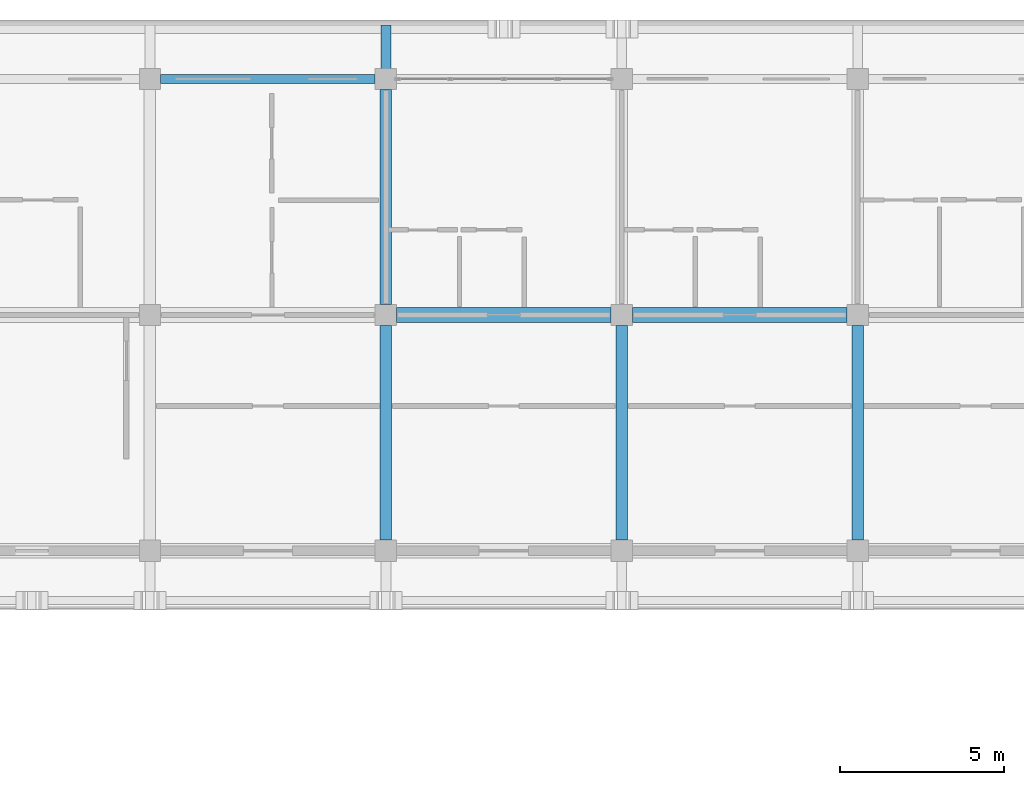
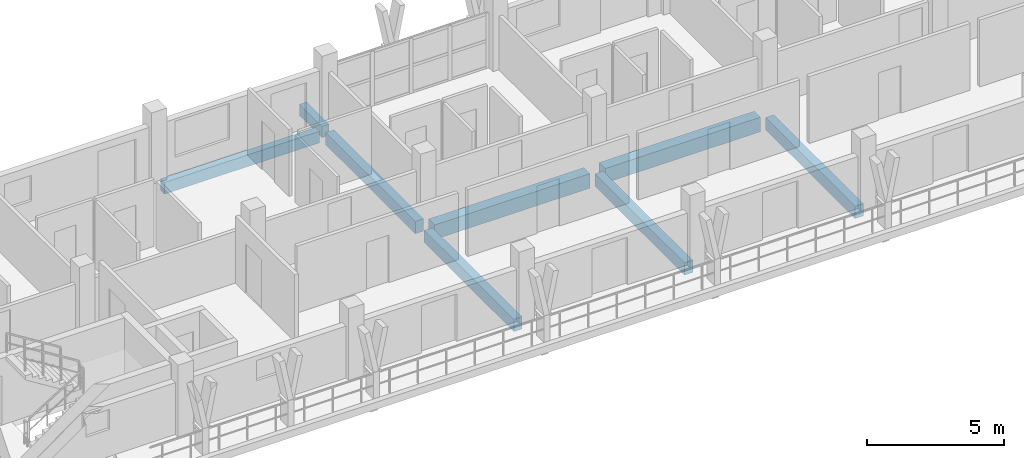
# One storey, part 19 of 76: 8 beams.
"""IFC4 building model written with IfcOpenShell, lengths in metres."""

from ifc_helpers import new_model, si_unit, direction, frame, origin, origin_2d, place, context, subcontext, project, spatial, rectangle, extrude, material, material_profile, profile_set, type_object, element, save


model = new_model("IFC4")

# Units and contexts
model_context = context("Model", 3, precision=1e-05, world=origin(), true_north=direction((0.0, 1.0)))
body_context = subcontext(model_context, "Body", "Model", "MODEL_VIEW")
ifc_project = project(units=[si_unit("LENGTHUNIT", "METRE"), si_unit("AREAUNIT", "SQUARE_METRE"), si_unit("VOLUMEUNIT", "CUBIC_METRE"), si_unit("PLANEANGLEUNIT", "RADIAN"), si_unit("MASSUNIT", "GRAM", prefix="KILO")], contexts=[model_context])

# Site, building, storey
site_placement = place(None, origin())
site = spatial("IfcSite", under=ifc_project, at=site_placement, CompositionType="ELEMENT")
building_placement = place(site_placement, origin())
building = spatial("IfcBuilding", under=site, at=building_placement, Name="Suanplinth Sawtooth Commons", CompositionType="ELEMENT")
storey_placement = place(building_placement, frame((0.0, 0.0, 12.199951171875)))
storey = spatial("IfcBuildingStorey", under=building, at=storey_placement, Name="L03", CompositionType="ELEMENT", Elevation=12.199951171875)

# Beams
ifc_material = material(Name="Precast concrete C40/50", Category="concrete")
ifc_material_profile_1 = material_profile(ifc_material, rectangle(XDim=0.449951171875, YDim=0.64990234375, at=origin_2d()), Name="PC-GDR 450x650")
ifc_profile_set_1 = profile_set([ifc_material_profile_1], Name="Precast concrete C40/50")
beam_type_1 = type_object("IfcBeamType", Name="B-04", PredefinedType="USERDEFINED", material=ifc_profile_set_1)
beam_1_placement = place(storey_placement, frame((79.52490234375, 115.199951171875, -0.56494140625), z_axis=(1.0, 0.0, 0.0), x_axis=(0.0, 1.0, 0.0)))
element("IfcBeam", 1, at=beam_1_placement, inside=storey, type_object=beam_type_1, Name="BMX-L03-A-11-16", ObjectType="GIRDER", PredefinedType="USERDEFINED", context=body_context, shape_type="SweptSolid", body=[
    extrude(rectangle(XDim=0.449951171875, YDim=0.64990234375, at=origin_2d()), origin(), (0.0, 0.0, 1.0), 6.550048828125),
])
beam_2_placement = place(storey_placement, frame((86.72509765625, 115.199951171875, -0.56494140625), z_axis=(1.0, 0.0, 0.0), x_axis=(0.0, 1.0, 0.0)))
element("IfcBeam", 2, at=beam_2_placement, inside=storey, type_object=beam_type_1, Name="BMX-L03-A-12-16", ObjectType="GIRDER", PredefinedType="USERDEFINED", context=body_context, shape_type="SweptSolid", body=[
    extrude(rectangle(XDim=0.449951171875, YDim=0.64990234375, at=origin_2d()), origin(), (0.0, 0.0, 1.0), 6.5498046875),
])
ifc_material_profile_2 = material_profile(ifc_material, rectangle(XDim=0.35009765625, YDim=0.550048828125, at=origin_2d()), Name="PC-BM 350x550")
ifc_profile_set_2 = profile_set([ifc_material_profile_2], Name="Precast concrete C40/50")
beam_type_2 = type_object("IfcBeamType", Name="B-06", PredefinedType="BEAM", material=ifc_profile_set_2)
for number, where, z_axis, x_axis, name in (
    (3, (79.199951171875, 108.324951171875, -0.514892578125), (0.0, 1.0, 0.0), (-1.0, 0.0, 0.0), "BMY-L03-A-11-15"),
    (4, (79.199951171875, 115.52490234375, -0.514892578125), (0.0, 1.0, 0.0), (-1.0, 0.0, 0.0), "BMY-L03-A-11-16"),
    (5, (86.39990234375, 108.324951171875, -0.514892578125), (0.0, 1.0, 0.0), (-1.0, 0.0, 0.0), "BMY-L03-A-12-15"),
    (6, (93.60009765625, 108.324951171875, -0.514892578125), (0.0, 1.0, 0.0), (-1.0, 0.0, 0.0), "BMY-L03-A-13-15"),
):
    element("IfcBeam", number, at=place(storey_placement, frame(where, z_axis=z_axis, x_axis=x_axis)), inside=storey, type_object=beam_type_2, Name=name, PredefinedType="BEAM", context=body_context, shape_type="SweptSolid", body=[
        extrude(rectangle(XDim=0.35009765625, YDim=0.550048828125, at=origin_2d()), origin(), (0.0, 0.0, 1.0), 6.550048828125),
    ])
ifc_material_profile_3 = material_profile(ifc_material, rectangle(XDim=0.300048828125, YDim=0.5, at=origin_2d()), Name="PC-BM 300x500")
ifc_profile_set_3 = profile_set([ifc_material_profile_3], Name="Precast concrete C40/50")
beam_type_3 = type_object("IfcBeamType", Name="B-07", PredefinedType="BEAM", material=ifc_profile_set_3)
beam_3_placement = place(storey_placement, frame((79.199951171875, 122.39990234375, -0.429931640625), z_axis=(0.0, 1.0, 0.0), x_axis=(-1.0, 0.0, 0.0)))
element("IfcBeam", 7, at=beam_3_placement, inside=storey, type_object=beam_type_3, Name="Balcony Outrigger L03-A-N-11", PredefinedType="BEAM", context=body_context, shape_type="SweptSolid", body=[
    extrude(rectangle(XDim=0.300048828125, YDim=0.5, at=origin_2d()), origin(), (0.0, 0.0, 1.0), 1.64013671875),
])
ifc_material_profile_4 = material_profile(ifc_material, rectangle(XDim=0.280029296875, YDim=0.52001953125, at=origin_2d()), Name="PC-SP 280x520")
ifc_profile_set_4 = profile_set([ifc_material_profile_4], Name="Precast concrete C40/50")
beam_type_4 = type_object("IfcBeamType", Name="B-08", PredefinedType="SPANDREL", material=ifc_profile_set_4)
beam_4_placement = place(storey_placement, frame((72.324951171875, 122.39990234375, -0.5), z_axis=(1.0, 0.0, 0.0), x_axis=(0.0, 1.0, 0.0)))
element("IfcBeam", 8, at=beam_4_placement, inside=storey, type_object=beam_type_4, Name="BMX-L03-A-10-17", PredefinedType="SPANDREL", context=body_context, shape_type="SweptSolid", body=[
    extrude(rectangle(XDim=0.280029296875, YDim=0.52001953125, at=origin_2d()), origin(), (0.0, 0.0, 1.0), 6.550048828125),
])

save(model, "model.ifc")
